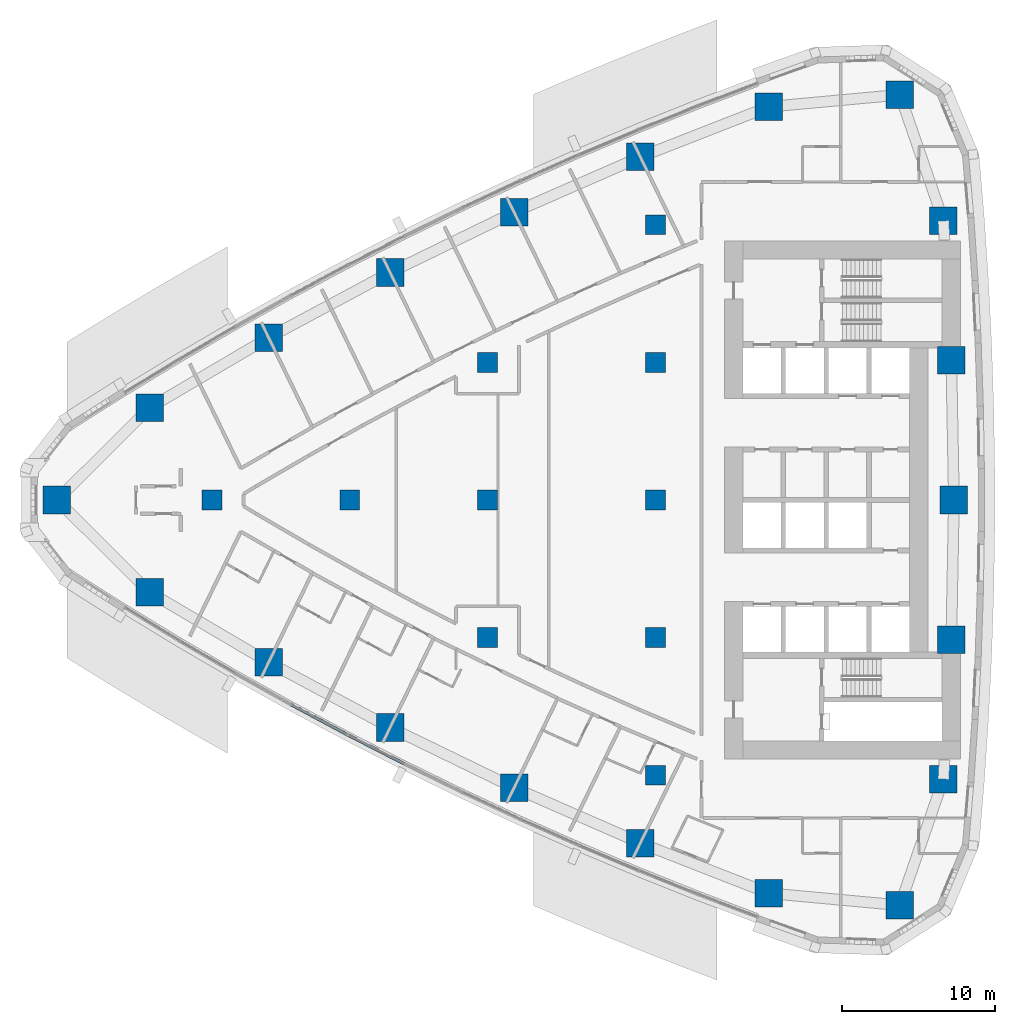
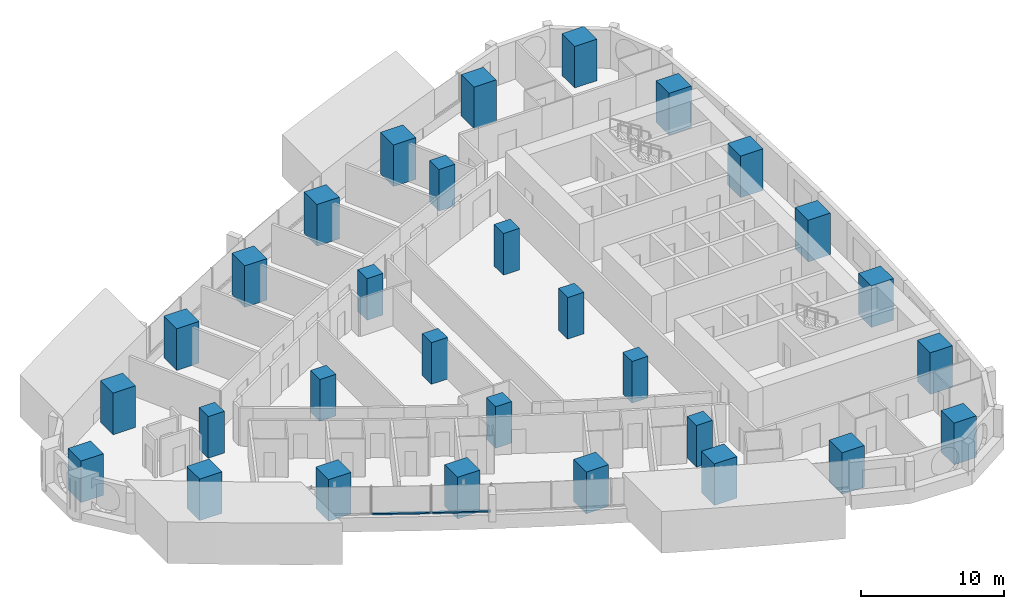
# One storey, part 1 of 19: 30 columns, 2 members, 1 element without a shape of its own.
"""IFC4 building model written with IfcOpenShell, lengths in metres."""

from ifc_helpers import new_model, si_unit, direction, frame, origin, origin_2d, place, context, subcontext, project, spatial, rectangle, extrude, material, layer, layer_set, material_profile, profile_set, type_object, element, aggregate, save


model = new_model("IFC4")

# Units and contexts
model_context = context("Model", 3, precision=1e-05, world=origin(), true_north=direction((0.0, 1.0)))
body_context = subcontext(model_context, "Body", "Model", "MODEL_VIEW")
ifc_project = project(units=[si_unit("LENGTHUNIT", "METRE"), si_unit("AREAUNIT", "SQUARE_METRE"), si_unit("VOLUMEUNIT", "CUBIC_METRE"), si_unit("PLANEANGLEUNIT", "RADIAN"), si_unit("MASSUNIT", "GRAM", prefix="KILO")], contexts=[model_context])

# Site, building, storey
site_placement = place(None, origin())
site = spatial("IfcSite", under=ifc_project, at=site_placement, CompositionType="ELEMENT")
building_placement = place(site_placement, origin())
building = spatial("IfcBuilding", under=site, at=building_placement, Name="Ostrand Prow Hotel Tower", CompositionType="ELEMENT")
storey_placement = place(building_placement, frame((0.0, 0.0, 46.699951171875)))
storey = spatial("IfcBuildingStorey", under=building, at=storey_placement, Name="L09", CompositionType="ELEMENT", Elevation=46.699951171875)

# Columns
ifc_material_1 = material(Name="Concrete C80/95", Category="concrete")
ifc_material_profile_1 = material_profile(ifc_material_1, rectangle(XDim=1.300048828125, YDim=1.300048828125, at=origin_2d()), Name="RC 1300x1300")
ifc_profile_set_1 = profile_set([ifc_material_profile_1], Name="Concrete C80/95")
column_type_1 = type_object("IfcColumnType", Name="Interior column 1300x1300 C80/95", PredefinedType="COLUMN", material=ifc_profile_set_1)
for number, where, z_axis, x_axis, name in (
    (1, (16.0, 0.0, 0.0), (0.0, 0.0, 1.0), (1.0, 0.0, 0.0), "Interior column 16C0"),
    (2, (25.0, 0.0, 0.0), (0.0, 0.0, 1.0), (1.0, 0.0, 0.0), "Interior column 25C0"),
    (3, (34.0, -9.0, 0.0), (0.0, 0.0, 1.0), (1.0, 0.0, 0.0), "Interior column 34S9"),
    (4, (34.0, 0.0, 0.0), (0.0, 0.0, 1.0), (1.0, 0.0, 0.0), "Interior column 34C0"),
    (5, (34.0, 9.0, 0.0), (0.0, 0.0, 1.0), (1.0, 0.0, 0.0), "Interior column 34N9"),
    (6, (45.0, -18.0, 0.0), (0.0, 0.0, 1.0), (1.0, 0.0, 0.0), "Interior column 45S18"),
    (7, (45.0, -9.0, 0.0), (0.0, 0.0, 1.0), (1.0, 0.0, 0.0), "Interior column 45S9"),
    (8, (45.0, 0.0, 0.0), (0.0, 0.0, 1.0), (1.0, 0.0, 0.0), "Interior column 45C0"),
    (9, (45.0, 9.0, 0.0), (0.0, 0.0, 1.0), (1.0, 0.0, 0.0), "Interior column 45N9"),
    (10, (45.0, 18.0, 0.0), (0.0, 0.0, 1.0), (1.0, 0.0, 0.0), "Interior column 45N18"),
):
    element("IfcColumn", number, at=place(storey_placement, frame(where, z_axis=z_axis, x_axis=x_axis)), inside=storey, type_object=column_type_1, Name=name, PredefinedType="COLUMN", context=body_context, shape_type="SweptSolid", body=[
        extrude(rectangle(XDim=1.300048828125, YDim=1.300048828125, at=origin_2d()), origin(), (0.0, 0.0, 1.0), 3.550048828125),
    ])
ifc_material_2 = material(Name="Concrete C80/95", Category="concrete")
ifc_material_profile_2 = material_profile(ifc_material_2, rectangle(XDim=1.800048828125, YDim=1.800048828125, at=origin_2d()), Name="RC 1800x1800")
ifc_profile_set_2 = profile_set([ifc_material_profile_2], Name="Concrete C80/95")
column_type_2 = type_object("IfcColumnType", Name="Stone-faced mega column 1800x1800 C80/95", PredefinedType="COLUMN", material=ifc_profile_set_2)
for number, where, z_axis, x_axis, name in (
    (11, (5.848388671875, 0.0, 0.0), (0.0, 0.0, 1.0), (1.0, 0.0, 0.0), "Mega column P"),
    (12, (11.926513671875, -6.0419921875, 0.0), (0.0, 0.0, 1.0), (1.0, 0.0, 0.0), "Mega column S1"),
    (13, (19.69287109375, -10.61474609375, 0.0), (0.0, 0.0, 1.0), (1.0, 0.0, 0.0), "Mega column S2"),
    (14, (27.635498046875, -14.874267578125, 0.0), (0.0, 0.0, 1.0), (1.0, 0.0, 0.0), "Mega column S3"),
    (15, (35.7412109375, -18.814208984375, 0.0), (0.0, 0.0, 1.0), (1.0, 0.0, 0.0), "Mega column S4"),
    (16, (43.997802734375, -22.427978515625, 0.0), (0.0, 0.0, 1.0), (1.0, 0.0, 0.0), "Mega column S5"),
    (17, (52.3916015625, -25.710205078125, 0.0), (0.0, 0.0, 1.0), (1.0, 0.0, 0.0), "Mega column S6"),
    (18, (60.966064453125, -26.49853515625, 0.0), (0.0, 0.0, 1.0), (1.0, 0.0, 0.0), "Mega column SE"),
    (19, (63.8134765625, -18.248779296875, 0.0), (0.0, 0.0, 1.0), (1.0, 0.0, 0.0), "Mega column B1"),
    (20, (64.328369140625, -9.130859375, 0.0), (0.0, 0.0, 1.0), (1.0, 0.0, 0.0), "Mega column B2"),
    (21, (64.5, 0.0, 0.0), (0.0, 0.0, 1.0), (1.0, 0.0, 0.0), "Mega column B3"),
    (22, (64.328369140625, 9.130859375, 0.0), (0.0, 0.0, 1.0), (1.0, 0.0, 0.0), "Mega column B4"),
    (23, (63.8134765625, 18.248779296875, 0.0), (0.0, 0.0, 1.0), (1.0, 0.0, 0.0), "Mega column B5"),
    (24, (60.966064453125, 26.49853515625, 0.0), (0.0, 0.0, 1.0), (1.0, 0.0, 0.0), "Mega column NE"),
    (25, (52.3916015625, 25.710205078125, 0.0), (0.0, 0.0, 1.0), (1.0, 0.0, 0.0), "Mega column N1"),
    (26, (43.997802734375, 22.427978515625, 0.0), (0.0, 0.0, 1.0), (1.0, 0.0, 0.0), "Mega column N2"),
    (27, (35.7412109375, 18.814208984375, 0.0), (0.0, 0.0, 1.0), (1.0, 0.0, 0.0), "Mega column N3"),
    (28, (27.635498046875, 14.874267578125, 0.0), (0.0, 0.0, 1.0), (1.0, 0.0, 0.0), "Mega column N4"),
    (29, (19.69287109375, 10.61474609375, 0.0), (0.0, 0.0, 1.0), (1.0, 0.0, 0.0), "Mega column N5"),
    (30, (11.926513671875, 6.0419921875, 0.0), (0.0, 0.0, 1.0), (1.0, 0.0, 0.0), "Mega column N6"),
):
    element("IfcColumn", number, at=place(storey_placement, frame(where, z_axis=z_axis, x_axis=x_axis)), inside=storey, type_object=column_type_2, Name=name, PredefinedType="COLUMN", context=body_context, shape_type="SweptSolid", body=[
        extrude(rectangle(XDim=1.800048828125, YDim=1.800048828125, at=origin_2d()), origin(), (0.0, 0.0, 1.0), 3.550048828125),
    ])

# Curtain wall, members
ifc_material_3 = material(Name="Insulated glass in bronze anodised frame", Category="glass")
ifc_layer = layer(ifc_material_3, 0.199951171875)
ifc_layer_set = layer_set([ifc_layer], Name="Insulated glass in bronze anodised frame")
curtain_wall_type = type_object("IfcCurtainWallType", Name="Strip curtain wall, fritted glass over bronze spandrel", PredefinedType="NOTDEFINED", material=ifc_layer_set)
curtain_wall_placement = place(storey_placement, origin())
curtain_wall = element("IfcCurtainWall", 31, at=curtain_wall_placement, inside=storey, type_object=curtain_wall_type, Name="CW1 run CWS2", PredefinedType="NOTDEFINED")
ifc_material_4 = material(Name="Bronze anodised aluminium", Category="aluminium")
ifc_material_profile_3 = material_profile(ifc_material_4, rectangle(XDim=0.199951171875, YDim=0.1201171875, at=origin_2d()), Name="Transom 120x200 bronze anodised aluminium")
ifc_profile_set_3 = profile_set([ifc_material_profile_3], Name="Bronze anodised aluminium")
member_type = type_object("IfcMemberType", Name="Transom 120x200 bronze anodised aluminium", PredefinedType="USERDEFINED", material=ifc_profile_set_3)
member_1_placement = place(storey_placement, frame((21.187255859375, -13.386962890625, 0.9599609375), z_axis=(0.881657241639, -0.471890356191, 0.0), x_axis=(0.471890356191, 0.881657241639, 0.0)))
member_1 = element("IfcMember", 32, at=member_1_placement, type_object=member_type, Name="CW1 transom 2.1", ObjectType="TRANSOM", PredefinedType="USERDEFINED", context=body_context, shape_type="SweptSolid", body=[
    extrude(rectangle(XDim=0.199951171875, YDim=0.1201171875, at=origin_2d()), origin(), (0.0, 0.0, 1.0), 4.13427734375),
])
member_2_placement = place(storey_placement, frame((24.885498046875, -15.36572265625, 0.9599609375), z_axis=(0.890182999343, -0.455603147136, 0.0), x_axis=(0.455603147136, 0.890182999343, 0.0)))
member_2 = element("IfcMember", 33, at=member_2_placement, type_object=member_type, Name="CW1 transom 3.1", ObjectType="TRANSOM", PredefinedType="USERDEFINED", context=body_context, shape_type="SweptSolid", body=[
    extrude(rectangle(XDim=0.199951171875, YDim=0.1201171875, at=origin_2d()), origin(), (0.0, 0.0, 1.0), 4.13427734375),
])
aggregate(curtain_wall, [member_1, member_2])

save(model, "model.ifc")
